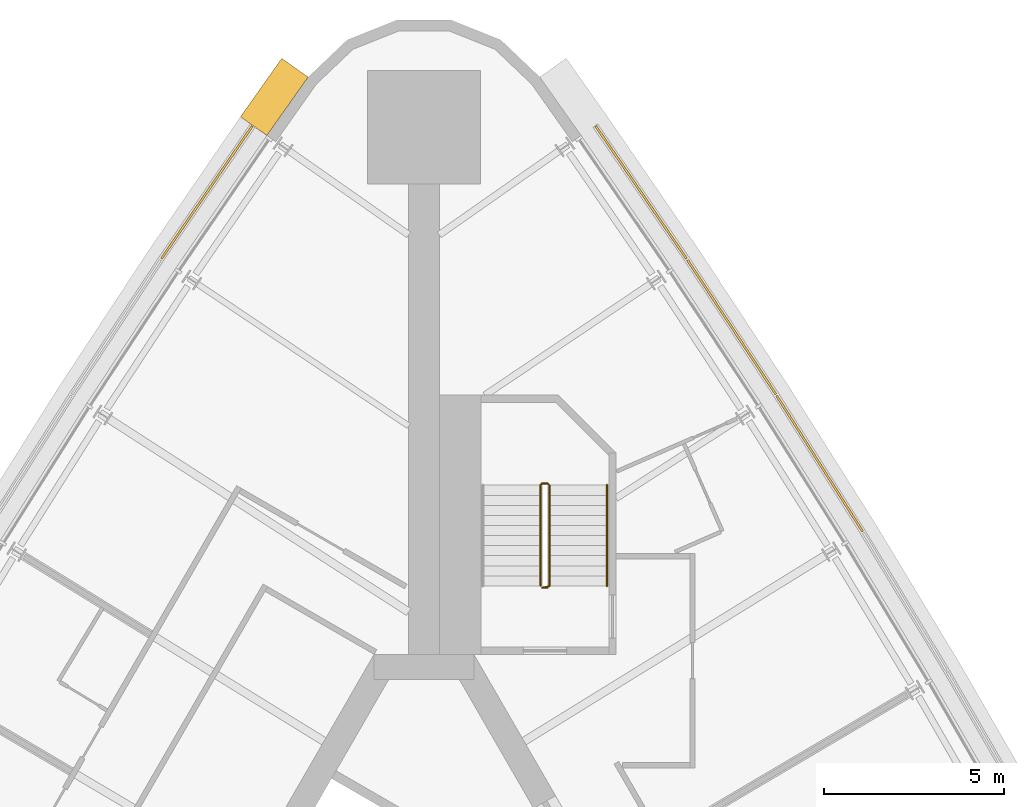
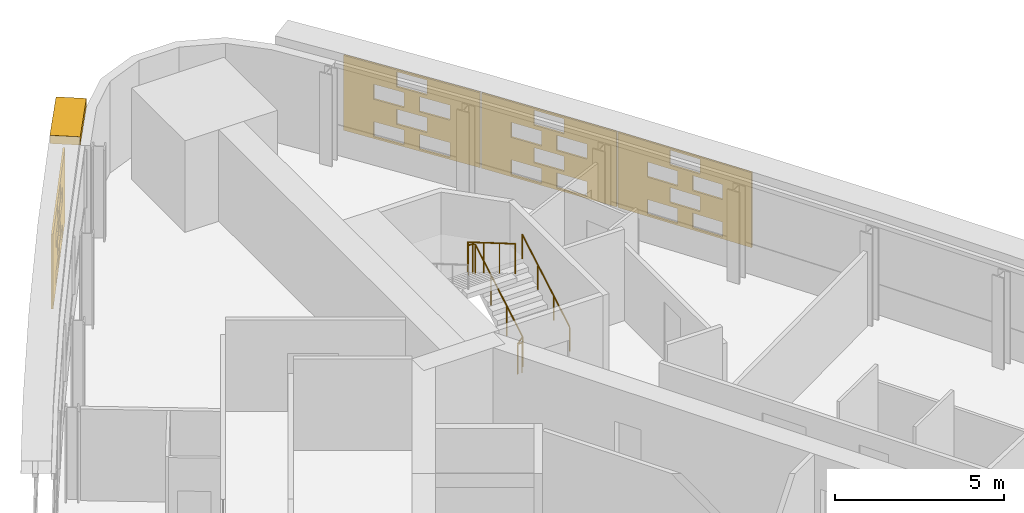
# One storey, part 13 of 13: 5 shading devices, 2 railings.
"""IFC4 building model written with IfcOpenShell, lengths in metres."""

from ifc_helpers import new_model, si_unit, direction, frame, origin, origin_2d, place, context, subcontext, project, spatial, polyline, circle, outline, extrude, material, material_profile, profile_set, type_object, element, save


model = new_model("IFC4")

# Units and contexts
model_context = context("Model", 3, precision=1e-05, world=origin(), true_north=direction((0.0, 1.0)))
body_context = subcontext(model_context, "Body", "Model", "MODEL_VIEW")
ifc_project = project(units=[si_unit("LENGTHUNIT", "METRE"), si_unit("AREAUNIT", "SQUARE_METRE"), si_unit("VOLUMEUNIT", "CUBIC_METRE"), si_unit("PLANEANGLEUNIT", "RADIAN"), si_unit("MASSUNIT", "GRAM", prefix="KILO")], contexts=[model_context])

# Site, building, storey
site_placement = place(None, origin())
site = spatial("IfcSite", under=ifc_project, at=site_placement, CompositionType="ELEMENT")
building_placement = place(site_placement, origin())
building = spatial("IfcBuilding", under=site, at=building_placement, Name="Noor Cloister Tower", CompositionType="ELEMENT")
storey_placement = place(building_placement, frame((0.0, 0.0, 83.39990234375)))
storey = spatial("IfcBuildingStorey", under=building, at=storey_placement, Name="L21", CompositionType="ELEMENT", Elevation=83.39990234375)

# Shading devices
ifc_material_1 = material(Name="Limestone", Category="masonry")
ifc_material_profile = material_profile(ifc_material_1, outline(polyline([(-2.22998046875, -1.35009765625), (2.22998046875, -1.35009765625), (2.22998046875, 1.35009765625), (-2.22998046875, 1.35009765625), (-2.22998046875, -1.35009765625)]), holes=[polyline([(-1.25, -1.282470703125), (-0.25, -1.282470703125), (-0.25, -0.742431640625), (-1.25, -0.742431640625), (-1.25, -1.282470703125)]), polyline([(0.25, -1.282470703125), (1.25, -1.282470703125), (1.25, -0.742431640625), (0.25, -0.742431640625), (0.25, -1.282470703125)]), polyline([(-0.5, -0.607421875), (0.5, -0.607421875), (0.5, -0.0673828125), (-0.5, -0.0673828125), (-0.5, -0.607421875)]), polyline([(-1.25, 0.0673828125), (-0.25, 0.0673828125), (-0.25, 0.607421875), (-1.25, 0.607421875), (-1.25, 0.0673828125)]), polyline([(0.25, 0.0673828125), (1.25, 0.0673828125), (1.25, 0.607421875), (0.25, 0.607421875), (0.25, 0.0673828125)]), polyline([(-0.5, 0.742431640625), (0.5, 0.742431640625), (0.5, 1.282470703125), (-0.5, 1.282470703125), (-0.5, 0.742431640625)])]), Name="Woven screen 28 percent open")
ifc_profile_set = profile_set([ifc_material_profile], Name="Limestone")
shading_device_type_1 = type_object("IfcShadingDeviceType", Name="SCREEN woven limestone 28 percent open", PredefinedType="USERDEFINED", material=ifc_profile_set)
shading_device_1_placement = place(storey_placement, frame((-6.008544921875, 24.272216796875, 1.85009765625), z_axis=(-0.825107815773, 0.564975302426, 0.0), x_axis=(-0.564975302426, -0.825107815773, 0.0)))
element("IfcShadingDevice", 1, at=shading_device_1_placement, inside=storey, type_object=shading_device_type_1, Name="SCREEN L21 1", ObjectType="SCREEN", PredefinedType="USERDEFINED", context=body_context, shape_type="SweptSolid", body=[
    extrude(outline(polyline([(-2.22998046875, -1.35009765625), (2.22998046875, -1.35009765625), (2.22998046875, 1.35009765625), (-2.22998046875, 1.35009765625), (-2.22998046875, -1.35009765625)]), holes=[polyline([(-1.25, -1.282470703125), (-0.25, -1.282470703125), (-0.25, -0.742431640625), (-1.25, -0.742431640625), (-1.25, -1.282470703125)]), polyline([(0.25, -1.282470703125), (1.25, -1.282470703125), (1.25, -0.742431640625), (0.25, -0.742431640625), (0.25, -1.282470703125)]), polyline([(-0.5, -0.607421875), (0.5, -0.607421875), (0.5, -0.0673828125), (-0.5, -0.0673828125), (-0.5, -0.607421875)]), polyline([(-1.25, 0.0673828125), (-0.25, 0.0673828125), (-0.25, 0.607421875), (-1.25, 0.607421875), (-1.25, 0.0673828125)]), polyline([(0.25, 0.0673828125), (1.25, 0.0673828125), (1.25, 0.607421875), (0.25, 0.607421875), (0.25, 0.0673828125)]), polyline([(-0.5, 0.742431640625), (0.5, 0.742431640625), (0.5, 1.282470703125), (-0.5, 1.282470703125), (-0.5, 0.742431640625)])]), origin(), (0.0, 0.0, 1.0), 0.06005859375),
])
for number, where, z_axis, x_axis, name in (
    (2, (10.96533203125, 16.740234375, 1.85009765625), (0.845003547232, 0.534760698973, 0.0), (-0.534760698973, 0.845003547232, 0.0), "SCREEN L21 7"),
    (3, (8.523681640625, 20.5302734375, 1.85009765625), (0.83517086482, 0.549990569516, 0.0), (-0.549990569516, 0.83517086482, 0.0), "SCREEN L21 8"),
):
    element("IfcShadingDevice", number, at=place(storey_placement, frame(where, z_axis=z_axis, x_axis=x_axis)), inside=storey, type_object=shading_device_type_1, Name=name, ObjectType="SCREEN", PredefinedType="USERDEFINED", context=body_context, shape_type="SweptSolid", body=[
        extrude(outline(polyline([(-2.22998046875, -1.35009765625), (2.22998046875, -1.35009765625), (2.22998046875, 1.35009765625), (-2.22998046875, 1.35009765625), (-2.22998046875, -1.35009765625)]), holes=[polyline([(-1.25, -1.282470703125), (-0.25, -1.282470703125), (-0.25, -0.742431640625), (-1.25, -0.742431640625), (-1.25, -1.282470703125)]), polyline([(0.25, -1.282470703125), (1.25, -1.282470703125), (1.25, -0.742431640625), (0.25, -0.742431640625), (0.25, -1.282470703125)]), polyline([(-0.5, -0.607421875), (0.5, -0.607421875), (0.5, -0.0673828125), (-0.5, -0.0673828125), (-0.5, -0.607421875)]), polyline([(-1.25, 0.0673828125), (-0.25, 0.0673828125), (-0.25, 0.607421875), (-1.25, 0.607421875), (-1.25, 0.0673828125)]), polyline([(0.25, 0.0673828125), (1.25, 0.0673828125), (1.25, 0.607421875), (0.25, 0.607421875), (0.25, 0.0673828125)]), polyline([(-0.5, 0.742431640625), (0.5, 0.742431640625), (0.5, 1.282470703125), (-0.5, 1.282470703125), (-0.5, 0.742431640625)])]), origin(), (0.0, 0.0, 1.0), 0.059814453125),
    ])
shading_device_2_placement = place(storey_placement, frame((6.008544921875, 24.272216796875, 1.85009765625), z_axis=(0.825107815773, 0.564975302426, 0.0), x_axis=(-0.564975302426, 0.825107815773, 0.0)))
element("IfcShadingDevice", 4, at=shading_device_2_placement, inside=storey, type_object=shading_device_type_1, Name="SCREEN L21 9", ObjectType="SCREEN", PredefinedType="USERDEFINED", context=body_context, shape_type="SweptSolid", body=[
    extrude(outline(polyline([(-2.22998046875, -1.35009765625), (2.22998046875, -1.35009765625), (2.22998046875, 1.35009765625), (-2.22998046875, 1.35009765625), (-2.22998046875, -1.35009765625)]), holes=[polyline([(-1.25, -1.282470703125), (-0.25, -1.282470703125), (-0.25, -0.742431640625), (-1.25, -0.742431640625), (-1.25, -1.282470703125)]), polyline([(0.25, -1.282470703125), (1.25, -1.282470703125), (1.25, -0.742431640625), (0.25, -0.742431640625), (0.25, -1.282470703125)]), polyline([(-0.5, -0.607421875), (0.5, -0.607421875), (0.5, -0.0673828125), (-0.5, -0.0673828125), (-0.5, -0.607421875)]), polyline([(-1.25, 0.0673828125), (-0.25, 0.0673828125), (-0.25, 0.607421875), (-1.25, 0.607421875), (-1.25, 0.0673828125)]), polyline([(0.25, 0.0673828125), (1.25, 0.0673828125), (1.25, 0.607421875), (0.25, 0.607421875), (0.25, 0.0673828125)]), polyline([(-0.5, 0.742431640625), (0.5, 0.742431640625), (0.5, 1.282470703125), (-0.5, 1.282470703125), (-0.5, 0.742431640625)])]), origin(), (0.0, 0.0, 1.0), 0.06005859375),
])
ifc_material_2 = material(Name="Limestone", Category="masonry")
shading_device_type_2 = type_object("IfcShadingDeviceType", Name="SUNSHADE limestone band 900", PredefinedType="USERDEFINED", material=ifc_material_2)
shading_device_3_placement = place(storey_placement, frame((0.0, 0.0, 3.300048828125)))
element("IfcShadingDevice", 5, at=shading_device_3_placement, inside=storey, type_object=shading_device_type_2, Name="SUNSHADE L21 4", ObjectType="SUNSHADE", PredefinedType="USERDEFINED", context=body_context, shape_type="SweptSolid", body=[
    extrude(outline(polyline([(-3.95166015625, 28.0146484375), (-5.09912109375, 26.39208984375), (-4.3642578125, 25.87255859375), (-3.216796875, 27.4951171875), (-3.95166015625, 28.0146484375)])), origin(), (0.0, 0.0, 1.0), 0.300048828125),
])

# Railings
ifc_material_3 = material(Name="Stainless steel", Category="steel")
railing_type_1 = type_object("IfcRailingType", Name="Stair guard 1100", PredefinedType="GUARDRAIL", material=ifc_material_3)
railing_1_placement = place(storey_placement, frame((3.435546875, 13.306396484375, 0.0)))
element("IfcRailing", 6, at=railing_1_placement, inside=storey, type_object=railing_type_1, Name="Stair guard ST1 L21", PredefinedType="GUARDRAIL", context=body_context, shape_type="SweptSolid", body=[
    extrude(circle(Radius=0.02392578125, at=origin_2d()), frame((0.0, 0.0, 1.076171875), z_axis=(-1.0, 0.0, 0.0), x_axis=(0.0, -1.0, 0.0)), (0.0, 0.0, 1.0), 0.14990234375),
    extrude(circle(Radius=0.02392578125, at=origin_2d()), frame((-0.14990234375, 0.0, 1.076171875), z_axis=(0.759432192796, 0.190089865108, 0.622196582865), x_axis=(-0.242814311512, 0.970072785993, 0.0)), (0.0, 0.0, 1.0), 0.26318359375),
    extrude(circle(Radius=0.02392578125, at=origin_2d()), frame((0.050048828125, 0.050048828125, 1.23974609375), z_axis=(0.0, 0.863393664356, 0.504530851732), x_axis=(-1.0, 0.0, 0.0)), (0.0, 0.0, 1.0), 3.2431640625),
    extrude(circle(Radius=0.02392578125, at=origin_2d()), frame((0.050048828125, 2.85009765625, 2.8759765625), z_axis=(-0.708833529934, 0.705375805398, 0.0), x_axis=(-0.705375805398, -0.708833529934, 0.0)), (0.0, 0.0, 1.0), 0.070556640625),
    extrude(circle(Radius=0.02392578125, at=origin_2d()), frame((0.0, 2.89990234375, 2.8759765625), z_axis=(-1.0, 0.0, 0.0), x_axis=(0.0, -1.0, 0.0)), (0.0, 0.0, 1.0), 0.14990234375),
    extrude(circle(Radius=0.02392578125, at=origin_2d()), frame((-0.14990234375, 2.89990234375, 2.8759765625), z_axis=(-0.280916556609, -0.279546231943, 0.91811752648), x_axis=(0.705375805398, -0.708833529934, 0.0)), (0.0, 0.0, 1.0), 0.17822265625),
    extrude(circle(Radius=0.02392578125, at=origin_2d()), frame((-0.199951171875, 2.85009765625, 3.03955078125), z_axis=(0.0, -0.863360870873, 0.504586966384), x_axis=(1.0, 0.0, 0.0)), (0.0, 0.0, 1.0), 3.2431640625),
    extrude(circle(Radius=0.02099609375, at=origin_2d()), origin(), (0.0, 0.0, 1.0), 1.052001953125),
    extrude(circle(Radius=0.02099609375, at=origin_2d()), frame((-0.14990234375, 0.0, 0.0)), (0.0, 0.0, 1.0), 1.052001953125),
    extrude(circle(Radius=0.02099609375, at=origin_2d()), frame((0.050048828125, 0.050048828125, 0.163818359375)), (0.0, 0.0, 1.0), 1.052001953125),
    extrude(circle(Radius=0.02099609375, at=origin_2d()), frame((0.050048828125, 0.9833984375, 0.709228515625)), (0.0, 0.0, 1.0), 1.052001953125),
    extrude(circle(Radius=0.02099609375, at=origin_2d()), frame((0.050048828125, 1.916748046875, 1.254638671875)), (0.0, 0.0, 1.0), 1.052001953125),
    extrude(circle(Radius=0.02099609375, at=origin_2d()), frame((0.050048828125, 2.85009765625, 1.800048828125)), (0.0, 0.0, 1.0), 1.052001953125),
    extrude(circle(Radius=0.02099609375, at=origin_2d()), frame((0.0, 2.89990234375, 1.800048828125)), (0.0, 0.0, 1.0), 1.052001953125),
    extrude(circle(Radius=0.02099609375, at=origin_2d()), frame((-0.14990234375, 2.89990234375, 1.800048828125)), (0.0, 0.0, 1.0), 1.052001953125),
    extrude(circle(Radius=0.02099609375, at=origin_2d()), frame((-0.199951171875, 2.85009765625, 1.963623046875)), (0.0, 0.0, 1.0), 1.052001953125),
    extrude(circle(Radius=0.02099609375, at=origin_2d()), frame((-0.199951171875, 1.916748046875, 2.509033203125)), (0.0, 0.0, 1.0), 1.052001953125),
    extrude(circle(Radius=0.02099609375, at=origin_2d()), frame((-0.199951171875, 0.9833984375, 3.0546875)), (0.0, 0.0, 1.0), 1.052001953125),
    extrude(circle(Radius=0.02099609375, at=origin_2d()), frame((-0.199951171875, 0.050048828125, 3.60009765625)), (0.0, 0.0, 1.0), 1.052001953125),
])
ifc_material_4 = material(Name="Stainless steel", Category="steel")
railing_type_2 = type_object("IfcRailingType", Name="Stair handrail 900", PredefinedType="HANDRAIL", material=ifc_material_4)
railing_2_placement = place(storey_placement, frame((5.085693359375, 13.3564453125, 0.163818359375)))
element("IfcRailing", 7, at=railing_2_placement, inside=storey, type_object=railing_type_2, Name="Stair handrail ST1 L21 1", PredefinedType="HANDRAIL", context=body_context, shape_type="SweptSolid", body=[
    extrude(circle(Radius=0.02392578125, at=origin_2d()), frame((0.0, 0.0, 0.8759765625), z_axis=(0.0, 0.863393664356, 0.504530851732), x_axis=(-1.0, 0.0, 0.0)), (0.0, 0.0, 1.0), 3.2431640625),
    extrude(circle(Radius=0.02099609375, at=origin_2d()), origin(), (0.0, 0.0, 1.0), 0.851806640625),
    extrude(circle(Radius=0.02099609375, at=origin_2d()), frame((0.0, 0.933349609375, 0.54541015625)), (0.0, 0.0, 1.0), 0.851806640625),
    extrude(circle(Radius=0.02099609375, at=origin_2d()), frame((0.0, 1.86669921875, 1.0908203125)), (0.0, 0.0, 1.0), 0.851806640625),
    extrude(circle(Radius=0.02099609375, at=origin_2d()), frame((0.0, 2.800048828125, 1.63623046875)), (0.0, 0.0, 1.0), 0.851806640625),
])

save(model, "model.ifc")
